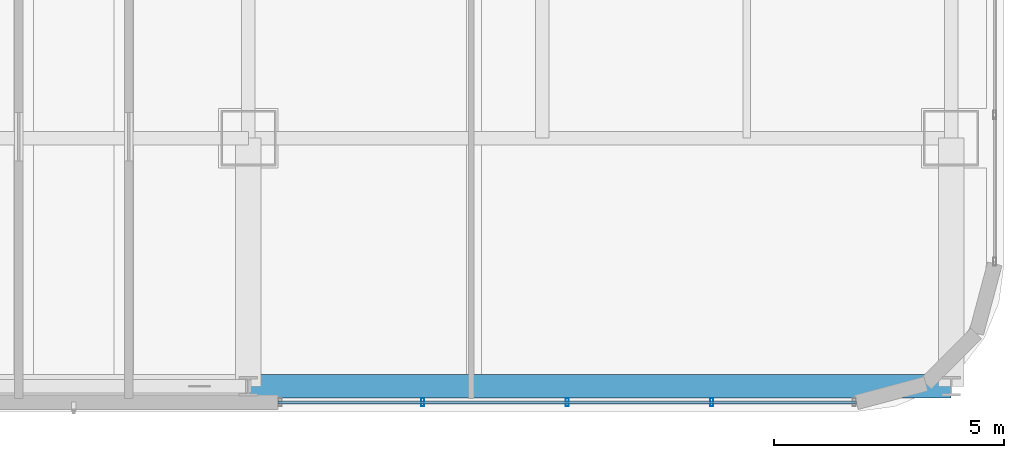
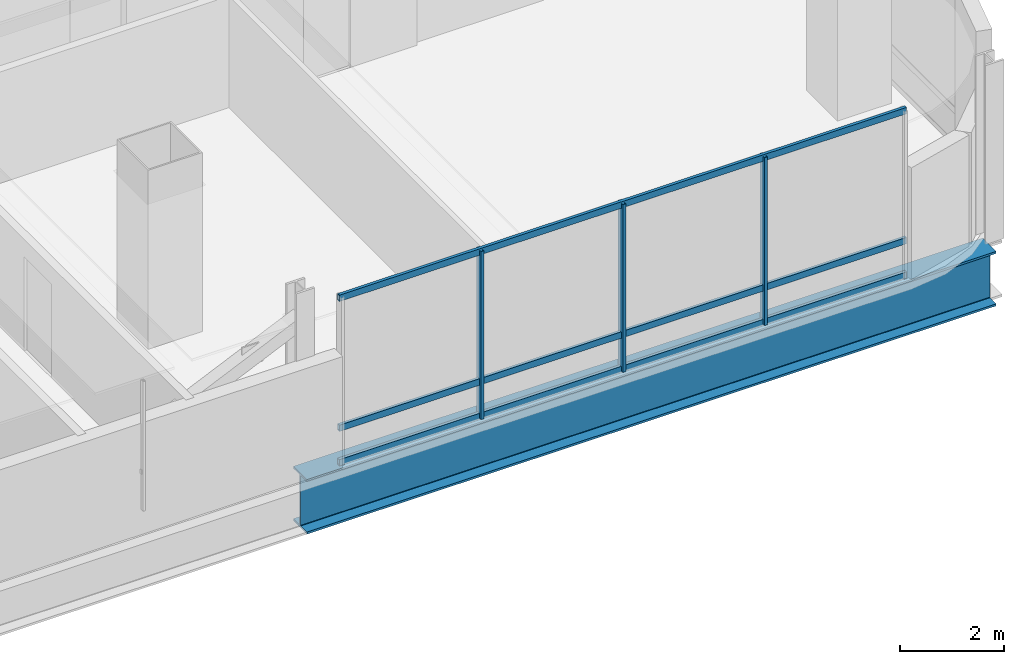
# One storey, part 16 of 46: 6 members, 1 beam, 1 element without a shape of its own.
"""IFC4 building model written with IfcOpenShell, lengths in metres."""

from ifc_helpers import new_model, si_unit, direction, frame, origin, origin_2d, place, context, subcontext, project, spatial, hollow_rectangle, i_section, extrude, material, material_profile, profile_set, type_object, element, aggregate, save


model = new_model("IFC4")

# Units and contexts
model_context = context("Model", 3, precision=1e-05, world=origin(), true_north=direction((0.0, 1.0)))
body_context = subcontext(model_context, "Body", "Model", "MODEL_VIEW")
ifc_project = project(units=[si_unit("LENGTHUNIT", "METRE"), si_unit("AREAUNIT", "SQUARE_METRE"), si_unit("VOLUMEUNIT", "CUBIC_METRE"), si_unit("PLANEANGLEUNIT", "RADIAN"), si_unit("MASSUNIT", "GRAM", prefix="KILO")], contexts=[model_context])

# Site, building, storey
site_placement = place(None, origin())
site = spatial("IfcSite", under=ifc_project, at=site_placement, CompositionType="ELEMENT")
building_placement = place(site_placement, origin())
building = spatial("IfcBuilding", under=site, at=building_placement, Name="Punatoya Terracotta Tower", CompositionType="ELEMENT")
storey_placement = place(building_placement, frame((0.0, 0.0, 330.0)))
storey = spatial("IfcBuildingStorey", under=building, at=storey_placement, Name="L78", CompositionType="ELEMENT", Elevation=330.0)

# Beam
ifc_material_1 = material(Name="Steel S460", Category="steel")
ifc_material_profile_1 = material_profile(ifc_material_1, i_section(OverallWidth=0.52001953125, OverallDepth=1.280029296875, WebThickness=0.031982421875, FlangeThickness=0.050048828125, FilletRadius=0.01806640625, at=origin_2d()))
ifc_profile_set_1 = profile_set([ifc_material_profile_1], Name="Steel S460")
beam_type = type_object("IfcBeamType", Name="BM-TG-NCK", PredefinedType="BEAM", material=ifc_profile_set_1)
beam_placement = place(storey_placement, frame((3.800048828125, -22.89990234375, -0.840087890625), z_axis=(1.0, 0.0, 0.0), x_axis=(0.0, 1.0, 0.0)))
element("IfcBeam", 1, at=beam_placement, inside=storey, type_object=beam_type, Name="BM-L78-PER-S3", PredefinedType="BEAM", context=body_context, shape_type="SweptSolid", body=[
    extrude(i_section(OverallWidth=0.52001953125, OverallDepth=1.280029296875, WebThickness=0.031982421875, FlangeThickness=0.050048828125, FilletRadius=0.01806640625, at=origin_2d()), origin(), (0.0, 0.0, 1.0), 15.300048828125),
])

# Curtain wall, members
ifc_material_2 = material(Name="Aluminium 6063-T6 + Double Low-E Glass", Category="aluminium")
curtain_wall_type = type_object("IfcCurtainWallType", Name="CW-OBS", PredefinedType="NOTDEFINED", material=ifc_material_2)
curtain_wall_placement = place(storey_placement, origin())
curtain_wall = element("IfcCurtainWall", 2, at=curtain_wall_placement, inside=storey, type_object=curtain_wall_type, Name="L78 Curtain Wall CW-L78-S01-2", PredefinedType="NOTDEFINED")
ifc_material_3 = material(Name="Aluminium 6063-T6", Category="aluminium")
ifc_material_profile_2 = material_profile(ifc_material_3, hollow_rectangle(XDim=0.070068359375, YDim=0.179931640625, WallThickness=0.00390625, at=origin_2d()))
ifc_profile_set_2 = profile_set([ifc_material_profile_2], Name="Aluminium 6063-T6")
member_type_1 = type_object("IfcMemberType", Name="CW-MUL-M3", PredefinedType="MULLION", material=ifc_profile_set_2)
member_1_placement = place(storey_placement, frame((7.5966796875, -23.25, 0.0), z_axis=(0.0, 0.0, 1.0), x_axis=(1.0, 0.0, 0.0)))
member_1 = element("IfcMember", 3, at=member_1_placement, type_object=member_type_1, Name="CW-L78-S01-2 Mullion 01", PredefinedType="MULLION", context=body_context, shape_type="SweptSolid", body=[
    extrude(hollow_rectangle(XDim=0.070068359375, YDim=0.179931640625, WallThickness=0.00390625, at=origin_2d()), origin(), (0.0, 0.0, 1.0), 3.93994140625),
])
member_2_placement = place(storey_placement, frame((10.743408203125, -23.25, 0.0), z_axis=(0.0, 0.0, 1.0), x_axis=(1.0, 0.0, 0.0)))
member_2 = element("IfcMember", 4, at=member_2_placement, type_object=member_type_1, Name="CW-L78-S01-2 Mullion 02", PredefinedType="MULLION", context=body_context, shape_type="SweptSolid", body=[
    extrude(hollow_rectangle(XDim=0.070068359375, YDim=0.179931640625, WallThickness=0.00390625, at=origin_2d()), origin(), (0.0, 0.0, 1.0), 3.93994140625),
])
member_3_placement = place(storey_placement, frame((13.89013671875, -23.25, 0.0), z_axis=(0.0, 0.0, 1.0), x_axis=(1.0, 0.0, 0.0)))
member_3 = element("IfcMember", 5, at=member_3_placement, type_object=member_type_1, Name="CW-L78-S01-2 Mullion 03", PredefinedType="MULLION", context=body_context, shape_type="SweptSolid", body=[
    extrude(hollow_rectangle(XDim=0.070068359375, YDim=0.179931640625, WallThickness=0.00390625, at=origin_2d()), origin(), (0.0, 0.0, 1.0), 3.93994140625),
])
ifc_material_profile_3 = material_profile(ifc_material_3, hollow_rectangle(XDim=0.068115234375, YDim=0.14990234375, WallThickness=0.00390625, at=origin_2d()))
ifc_profile_set_3 = profile_set([ifc_material_profile_3], Name="Aluminium 6063-T6")
member_type_2 = type_object("IfcMemberType", Name="CW-TRN-TYP", PredefinedType="USERDEFINED", material=ifc_profile_set_3)
member_4_placement = place(storey_placement, frame((4.449951171875, -23.25, 0.0400390625), z_axis=(1.0, 0.0, 0.0), x_axis=(0.0, 1.0, 0.0)))
member_4 = element("IfcMember", 6, at=member_4_placement, type_object=member_type_2, Name="CW-L78-S01-2 Transom 1", ObjectType="TRANSOM", PredefinedType="USERDEFINED", context=body_context, shape_type="SweptSolid", body=[
    extrude(hollow_rectangle(XDim=0.068115234375, YDim=0.14990234375, WallThickness=0.00390625, at=origin_2d()), origin(), (0.0, 0.0, 1.0), 12.5869140625),
])
member_5_placement = place(storey_placement, frame((4.449951171875, -23.25, 0.85009765625), z_axis=(1.0, 0.0, 0.0), x_axis=(0.0, 1.0, 0.0)))
member_5 = element("IfcMember", 7, at=member_5_placement, type_object=member_type_2, Name="CW-L78-S01-2 Transom 2", ObjectType="TRANSOM", PredefinedType="USERDEFINED", context=body_context, shape_type="SweptSolid", body=[
    extrude(hollow_rectangle(XDim=0.068115234375, YDim=0.14990234375, WallThickness=0.00390625, at=origin_2d()), origin(), (0.0, 0.0, 1.0), 12.5869140625),
])
member_6_placement = place(storey_placement, frame((4.449951171875, -23.25, 3.89990234375), z_axis=(1.0, 0.0, 0.0), x_axis=(0.0, 1.0, 0.0)))
member_6 = element("IfcMember", 8, at=member_6_placement, type_object=member_type_2, Name="CW-L78-S01-2 Transom 3", ObjectType="TRANSOM", PredefinedType="USERDEFINED", context=body_context, shape_type="SweptSolid", body=[
    extrude(hollow_rectangle(XDim=0.068115234375, YDim=0.14990234375, WallThickness=0.00390625, at=origin_2d()), origin(), (0.0, 0.0, 1.0), 12.5869140625),
])
aggregate(curtain_wall, [member_1, member_2, member_3, member_4, member_5, member_6])

save(model, "model.ifc")
